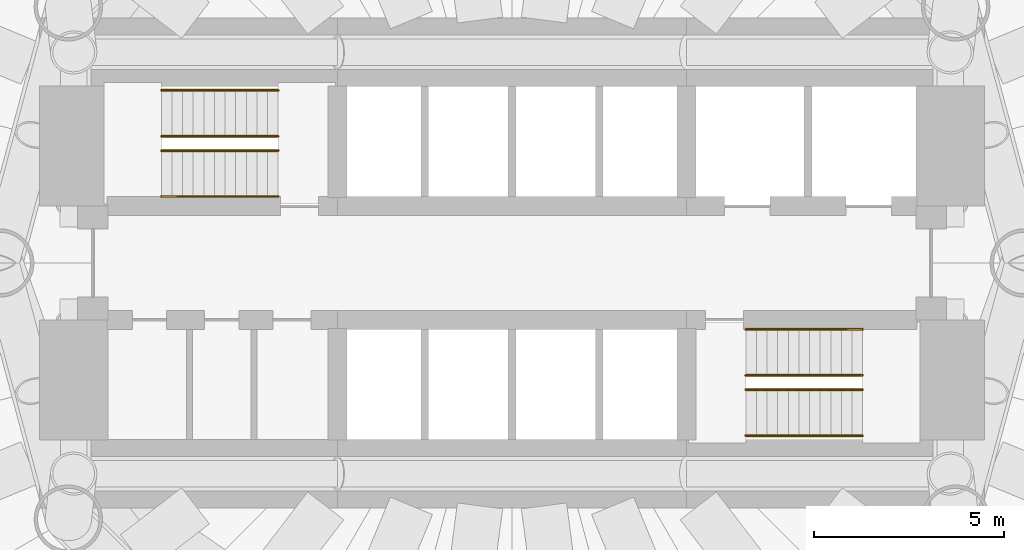
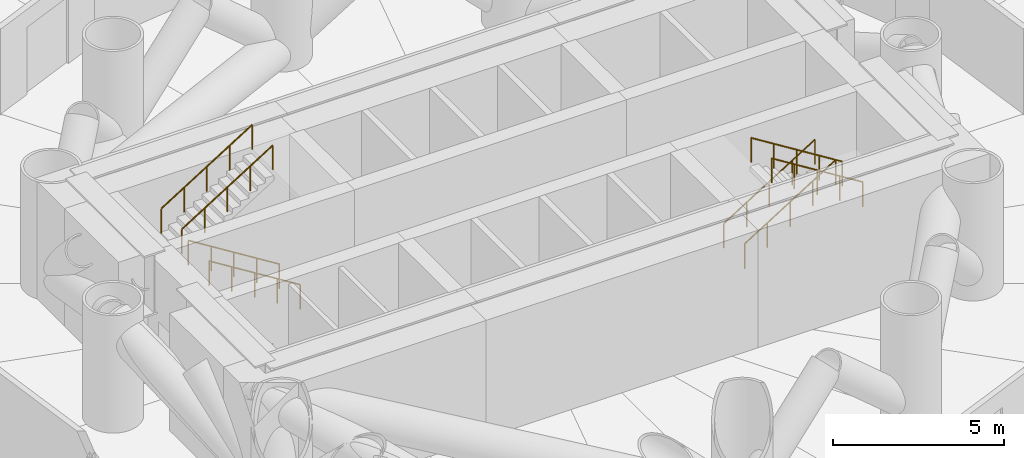
# One storey, part 7 of 7: 8 railings.
"""IFC4 building model written with IfcOpenShell, lengths in metres."""

from ifc_helpers import new_model, si_unit, direction, frame, origin, origin_2d, place, context, subcontext, project, spatial, circle, extrude, material, type_object, element, save


model = new_model("IFC4")

# Units and contexts
model_context = context("Model", 3, precision=1e-05, world=origin(), true_north=direction((0.0, 1.0)))
body_context = subcontext(model_context, "Body", "Model", "MODEL_VIEW")
ifc_project = project(units=[si_unit("LENGTHUNIT", "METRE"), si_unit("AREAUNIT", "SQUARE_METRE"), si_unit("VOLUMEUNIT", "CUBIC_METRE"), si_unit("PLANEANGLEUNIT", "RADIAN"), si_unit("MASSUNIT", "GRAM", prefix="KILO")], contexts=[model_context])

# Site, building, storey
site_placement = place(None, origin())
site = spatial("IfcSite", under=ifc_project, at=site_placement, CompositionType="ELEMENT")
building_placement = place(site_placement, origin())
building = spatial("IfcBuilding", under=site, at=building_placement, Name="Qaws Media Tower", CompositionType="ELEMENT")
storey_placement = place(building_placement, frame((0.0, 0.0, 101.60009765625)))
storey = spatial("IfcBuildingStorey", under=building, at=storey_placement, Name="L22", CompositionType="ELEMENT", Elevation=101.60009765625)

# Railings
ifc_material = material(Name="Steel tube handrail", Category="steel")
railing_type = type_object("IfcRailingType", Name="Stair handrail 900", PredefinedType="HANDRAIL", material=ifc_material)
for number, where, name in (
    (1, (53.840087890625, 51.75, 0.1748046875), "HR1 handrail S1 flight 1 L22"),
    (2, (53.840087890625, 52.9599609375, 0.1748046875), "HR1 handrail S1 flight 1 L22"),
):
    element("IfcRailing", number, at=place(storey_placement, frame(where)), inside=storey, type_object=railing_type, Name=name, PredefinedType="HANDRAIL", context=body_context, shape_type="SweptSolid", body=[
        extrude(circle(Radius=0.02392578125, at=origin_2d()), frame((0.0, 0.0, 0.8759765625), z_axis=(-0.847998304005, 0.0, 0.529998940003), x_axis=(0.0, -1.0, 0.0)), (0.0, 0.0, 1.0), 3.632080078125),
        extrude(circle(Radius=0.02099609375, at=origin_2d()), origin(), (0.0, 0.0, 1.0), 0.851806640625),
        extrude(circle(Radius=0.02099609375, at=origin_2d()), frame((-0.77001953125, 0.0, 0.481201171875)), (0.0, 0.0, 1.0), 0.851806640625),
        extrude(circle(Radius=0.02099609375, at=origin_2d()), frame((-1.5400390625, 0.0, 0.96240234375)), (0.0, 0.0, 1.0), 0.851806640625),
        extrude(circle(Radius=0.02099609375, at=origin_2d()), frame((-2.31005859375, 0.0, 1.44384765625)), (0.0, 0.0, 1.0), 0.851806640625),
        extrude(circle(Radius=0.02099609375, at=origin_2d()), frame((-3.080078125, 0.0, 1.925048828125)), (0.0, 0.0, 1.0), 0.851806640625),
    ])
for number, where, name in (
    (3, (50.760009765625, 54.550048828125, 2.27490234375), "HR1 handrail S1 flight 2 L22"),
    (4, (50.760009765625, 53.340087890625, 2.27490234375), "HR1 handrail S1 flight 2 L22"),
    (5, (66.159912109375, 48.25, 0.1748046875), "HR1 handrail S2 flight 1 L22"),
    (6, (66.159912109375, 47.0400390625, 0.1748046875), "HR1 handrail S2 flight 1 L22"),
):
    element("IfcRailing", number, at=place(storey_placement, frame(where)), inside=storey, type_object=railing_type, Name=name, PredefinedType="HANDRAIL", context=body_context, shape_type="SweptSolid", body=[
        extrude(circle(Radius=0.02392578125, at=origin_2d()), frame((0.0, 0.0, 0.8759765625), z_axis=(0.847998304005, 0.0, 0.529998940003), x_axis=(0.0, 1.0, 0.0)), (0.0, 0.0, 1.0), 3.632080078125),
        extrude(circle(Radius=0.02099609375, at=origin_2d()), origin(), (0.0, 0.0, 1.0), 0.851806640625),
        extrude(circle(Radius=0.02099609375, at=origin_2d()), frame((0.77001953125, 0.0, 0.481201171875)), (0.0, 0.0, 1.0), 0.851806640625),
        extrude(circle(Radius=0.02099609375, at=origin_2d()), frame((1.5400390625, 0.0, 0.96240234375)), (0.0, 0.0, 1.0), 0.851806640625),
        extrude(circle(Radius=0.02099609375, at=origin_2d()), frame((2.31005859375, 0.0, 1.44384765625)), (0.0, 0.0, 1.0), 0.851806640625),
        extrude(circle(Radius=0.02099609375, at=origin_2d()), frame((3.080078125, 0.0, 1.925048828125)), (0.0, 0.0, 1.0), 0.851806640625),
    ])
for number, where, name in (
    (7, (69.239990234375, 45.449951171875, 2.27490234375), "HR1 handrail S2 flight 2 L22"),
    (8, (69.239990234375, 46.659912109375, 2.27490234375), "HR1 handrail S2 flight 2 L22"),
):
    element("IfcRailing", number, at=place(storey_placement, frame(where)), inside=storey, type_object=railing_type, Name=name, PredefinedType="HANDRAIL", context=body_context, shape_type="SweptSolid", body=[
        extrude(circle(Radius=0.02392578125, at=origin_2d()), frame((0.0, 0.0, 0.8759765625), z_axis=(-0.847998304005, 0.0, 0.529998940003), x_axis=(0.0, -1.0, 0.0)), (0.0, 0.0, 1.0), 3.632080078125),
        extrude(circle(Radius=0.02099609375, at=origin_2d()), origin(), (0.0, 0.0, 1.0), 0.851806640625),
        extrude(circle(Radius=0.02099609375, at=origin_2d()), frame((-0.77001953125, 0.0, 0.481201171875)), (0.0, 0.0, 1.0), 0.851806640625),
        extrude(circle(Radius=0.02099609375, at=origin_2d()), frame((-1.5400390625, 0.0, 0.96240234375)), (0.0, 0.0, 1.0), 0.851806640625),
        extrude(circle(Radius=0.02099609375, at=origin_2d()), frame((-2.31005859375, 0.0, 1.44384765625)), (0.0, 0.0, 1.0), 0.851806640625),
        extrude(circle(Radius=0.02099609375, at=origin_2d()), frame((-3.080078125, 0.0, 1.925048828125)), (0.0, 0.0, 1.0), 0.851806640625),
    ])

save(model, "model.ifc")
